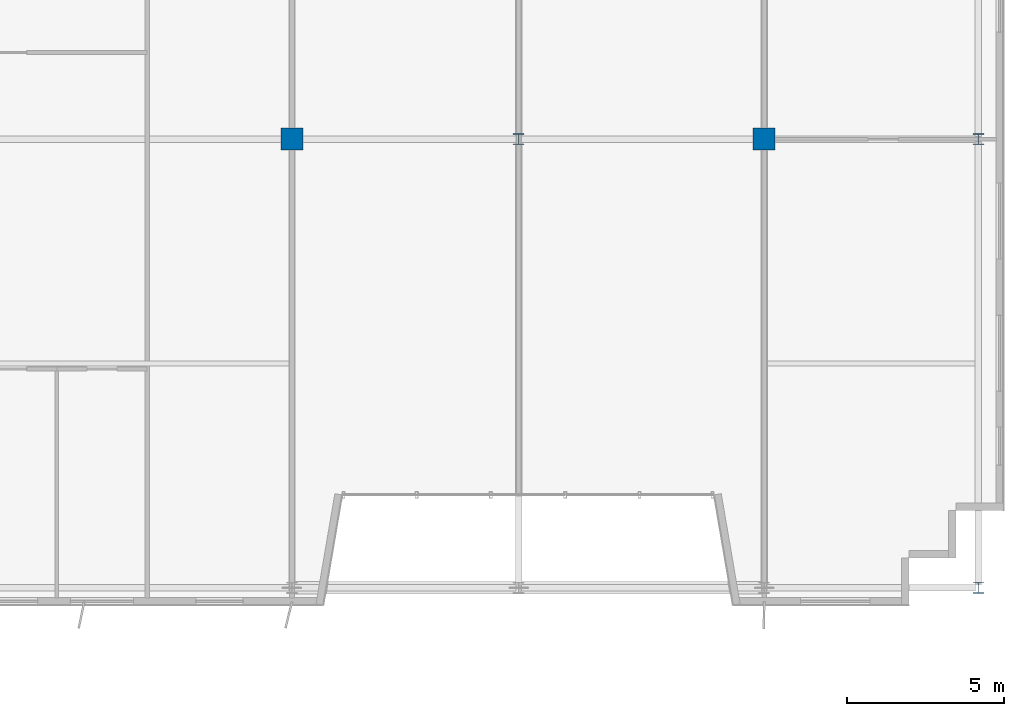
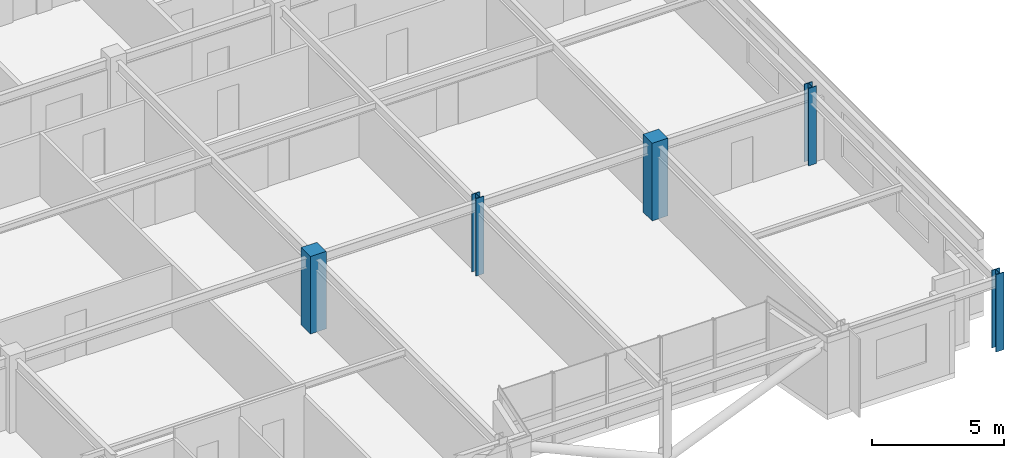
# One storey, part 2 of 27: 5 columns.
"""IFC4 building model written with IfcOpenShell, lengths in metres."""

import ifcopenshell
import ifcopenshell.guid

model = None  # the IFC model being written
_history = None  # IfcOwnerHistory: only IFC2X3 demands one
_inside = {}  # id of a spatial element -> (the spatial element, [elements in it])
_under = {}  # id of a project, library or spatial element -> (it, [spatial elements below it])
_declared = {}  # id of a project -> (the project, [libraries it declares])
_typed = {}  # id of a type object -> (the type object, [elements of that type])
_made_of = {}  # id of a material, layer set ... -> (it, [elements and type objects made of it])


def new_model(schema):
    """Start an empty IFC model of exactly this schema.

    Asked for "IFC4X3", IfcOpenShell would pick the latest addendum, in which some entities
    have other attributes; the version numbers below select the first issue.
    IFC2X3 requires an IfcOwnerHistory on every rooted entity: one is made here for all.
    """
    global model, _history
    if schema == "IFC4X3":
        model = ifcopenshell.file(schema_version=(4, 3, 0, 0))
    else:
        model = ifcopenshell.file(schema=schema)
    _inside.clear()
    _under.clear()
    _declared.clear()
    _typed.clear()
    _made_of.clear()
    _history = None
    if model.schema == "IFC2X3":
        org = make("IfcOrganization", Name="unknown")
        user = make(
            "IfcPersonAndOrganization",
            ThePerson=make("IfcPerson", FamilyName="unknown"),
            TheOrganization=org,
        )
        app = make(
            "IfcApplication",
            ApplicationDeveloper=org,
            Version="unknown",
            ApplicationFullName="unknown",
            ApplicationIdentifier="unknown",
        )
        _history = make(
            "IfcOwnerHistory",
            OwningUser=user,
            OwningApplication=app,
            ChangeAction="ADDED",
            CreationDate=0,
        )
    return model


def make(cls, **values):
    """One entity of the class cls with the attributes given. An attribute that is None is left unset."""
    return model.create_entity(
        cls, **{name: value for name, value in values.items() if value is not None}
    )


def rooted(cls, **values):
    """An entity with a GlobalId (a new one), such as an element, a storey or a relation."""
    return make(cls, GlobalId=ifcopenshell.guid.new(), OwnerHistory=_history, **values)


def si_unit(unit_type, name, prefix=None):
    """IfcSIUnit, for example si_unit("LENGTHUNIT", "METRE", prefix="MILLI")."""
    return make("IfcSIUnit", UnitType=unit_type, Prefix=prefix, Name=name)


def assignment(units):
    """IfcUnitAssignment: the units of a project."""
    return None if units is None else make("IfcUnitAssignment", Units=units)


def point(xyz):
    """IfcCartesianPoint."""
    return None if xyz is None else make("IfcCartesianPoint", Coordinates=xyz)


def direction(xyz):
    """IfcDirection."""
    return None if xyz is None else make("IfcDirection", DirectionRatios=xyz)


def frame(location, z_axis=None, x_axis=None):
    """IfcAxis2Placement3D, a coordinate frame: its origin and axes. An axis left out is left unset."""
    return make(
        "IfcAxis2Placement3D",
        Location=point(location),
        Axis=direction(z_axis),
        RefDirection=direction(x_axis),
    )


def frame_2d(location, x_axis=None):
    """IfcAxis2Placement2D, a coordinate frame in the plane: its origin and x axis."""
    return make(
        "IfcAxis2Placement2D", Location=point(location), RefDirection=direction(x_axis)
    )


def origin():
    """The frame at (0, 0, 0) with its axes left unset."""
    return frame((0.0, 0.0, 0.0))


def origin_2d():
    """The frame at (0, 0) in the plane with its x axis left unset."""
    return frame_2d((0.0, 0.0))


def place(relative_to, where):
    """IfcLocalPlacement: puts the frame where relative to a parent placement (None: the world)."""
    return make(
        "IfcLocalPlacement", PlacementRelTo=relative_to, RelativePlacement=where
    )


def context(
    kind, dimensions, precision=None, world=None, true_north=None, identifier=None
):
    """IfcGeometricRepresentationContext, for example the 3D "Model" context."""
    return make(
        "IfcGeometricRepresentationContext",
        ContextIdentifier=identifier,
        ContextType=kind,
        CoordinateSpaceDimension=dimensions,
        Precision=precision,
        WorldCoordinateSystem=world,
        TrueNorth=true_north,
    )


def subcontext(parent, identifier, kind, view, scale=None):
    """IfcGeometricRepresentationSubContext, for example "Body" below "Model"."""
    return make(
        "IfcGeometricRepresentationSubContext",
        ContextIdentifier=identifier,
        ContextType=kind,
        ParentContext=parent,
        TargetScale=scale,
        TargetView=view,
    )


def project(units=None, contexts=None):
    """IfcProject with its units and contexts."""
    return rooted(
        "IfcProject",
        Name="project",
        RepresentationContexts=contexts,
        UnitsInContext=assignment(units),
    )


def spatial(cls, under=None, at=None, **own):
    """A site, building, storey or space (cls), placed at a placement, below another one or the project."""
    s = rooted(cls, ObjectPlacement=at, **own)
    if under is not None:
        _under.setdefault(under.id(), (under, []))[1].append(s)
    return s


def profile(cls, at=None, kind="AREA", **sizes):
    """A parametric profile (cls). Its sizes go by their IFC names, for example OverallWidth=200.0."""
    return make(cls, ProfileType=kind, Position=at, **sizes)


def rectangle(**sizes):
    """IfcRectangleProfileDef."""
    return profile("IfcRectangleProfileDef", **sizes)


def i_section(**sizes):
    """IfcIShapeProfileDef."""
    return profile("IfcIShapeProfileDef", **sizes)


def extrude(swept, where, along, depth):
    """IfcExtrudedAreaSolid: the profile swept, set in the frame where, extruded along a direction by depth."""
    return make(
        "IfcExtrudedAreaSolid",
        SweptArea=swept,
        Position=where,
        ExtrudedDirection=direction(along),
        Depth=depth,
    )


def shape(context_of_items, identifier, shape_type, items):
    """IfcShapeRepresentation: the items that make up one representation, for example the "Body"."""
    return make(
        "IfcShapeRepresentation",
        ContextOfItems=context_of_items,
        RepresentationIdentifier=identifier,
        RepresentationType=shape_type,
        Items=items,
    )


def source(mapping_origin, context_of_items, identifier, shape_type, items):
    """IfcRepresentationMap: a shape defined once, which mapped items show again and again."""
    return make(
        "IfcRepresentationMap",
        MappingOrigin=mapping_origin,
        MappedRepresentation=shape(context_of_items, identifier, shape_type, items),
    )


def transform(
    local_origin,
    x_axis=None,
    y_axis=None,
    z_axis=None,
    scale=None,
    scale2=None,
    scale3=None,
    uniform=True,
):
    """IfcCartesianTransformationOperator3D, or its non-uniform kind. x_axis, y_axis, z_axis: its Axis1, 2, 3."""
    if uniform:
        return make(
            "IfcCartesianTransformationOperator3D",
            Axis1=direction(x_axis),
            Axis2=direction(y_axis),
            LocalOrigin=point(local_origin),
            Scale=scale,
            Axis3=direction(z_axis),
        )
    return make(
        "IfcCartesianTransformationOperator3DnonUniform",
        Axis1=direction(x_axis),
        Axis2=direction(y_axis),
        LocalOrigin=point(local_origin),
        Scale=scale,
        Axis3=direction(z_axis),
        Scale2=scale2,
        Scale3=scale3,
    )


def mapped(mapping_source, mapping_target):
    """IfcMappedItem: shows the shape of a source again, moved by a transform."""
    return make(
        "IfcMappedItem", MappingSource=mapping_source, MappingTarget=mapping_target
    )


def material(Name=None, Category=None):
    """IfcMaterial."""
    return make("IfcMaterial", Name=Name, Category=Category)


def material_profile(
    of_material, cross_section, Name=None, Category=None, Priority=None
):
    """IfcMaterialProfile: a cross section and its material."""
    return make(
        "IfcMaterialProfile",
        Name=Name,
        Material=of_material,
        Profile=cross_section,
        Priority=Priority,
        Category=Category,
    )


def profile_set(profiles, Name=None, composite=None):
    """IfcMaterialProfileSet."""
    return make(
        "IfcMaterialProfileSet",
        Name=Name,
        MaterialProfiles=profiles,
        CompositeProfile=composite,
    )


def made_of(thing, what):
    """Note that an element or type object is made of a material, layer set ...; save() writes the relation."""
    if what is not None:
        _made_of.setdefault(what.id(), (what, []))[1].append(thing)
    return thing


def type_object(cls, material=None, **own):
    """A type object (cls), such as IfcWallType, which elements share."""
    return made_of(rooted(cls, **own), material)


def element(
    cls,
    number,
    at=None,
    inside=None,
    cuts=None,
    type_object=None,
    material=None,
    context=None,
    identifier="Body",
    shape_type=None,
    held_by="IfcProductDefinitionShape",
    body=None,
    shapes=None,
    **own,
):
    """One element of the class cls, such as IfcWall. Its Tag is "e" and its number.

    at: its placement. inside: the storey or other place that contains it. cuts: it is an
    opening in that element (IfcRelVoidsElement). A single representation is given by context,
    identifier, shape_type and body (its items); several are given by shapes. held_by: the class
    of the entity that holds the representations. save() writes the other relations.
    """
    e = rooted(cls, Tag="e%d" % number, ObjectPlacement=at, **own)
    if body is not None:
        shapes = [shape(context, identifier, shape_type, body)]
    if shapes is not None:
        e.Representation = make(held_by, Representations=shapes)
    if inside is not None:
        _inside.setdefault(inside.id(), (inside, []))[1].append(e)
    if cuts is not None:
        rooted(
            "IfcRelVoidsElement", RelatingBuildingElement=cuts, RelatedOpeningElement=e
        )
    if type_object is not None:
        _typed.setdefault(type_object.id(), (type_object, []))[1].append(e)
    return made_of(e, material)


def aggregate(whole, parts):
    """IfcRelAggregates: a whole, such as a stair, and the parts it consists of."""
    return rooted("IfcRelAggregates", RelatingObject=whole, RelatedObjects=parts)


def save(model, path):
    """Write the relations noted so far, then the file.

    IfcRelAggregates (storeys below a building ...), IfcRelContainedInSpatialStructure (elements
    in a storey), IfcRelDefinesByType, IfcRelAssociatesMaterial and IfcRelDeclares: one each for
    every whole, place, type object, material and project.
    """
    for whole, parts in _under.values():
        aggregate(whole, parts)
    for where, things in _inside.values():
        rooted(
            "IfcRelContainedInSpatialStructure",
            RelatedElements=things,
            RelatingStructure=where,
        )
    for kind, things in _typed.values():
        rooted("IfcRelDefinesByType", RelatedObjects=things, RelatingType=kind)
    for what, things in _made_of.values():
        rooted("IfcRelAssociatesMaterial", RelatedObjects=things, RelatingMaterial=what)
    for by, libraries in _declared.values():
        rooted("IfcRelDeclares", RelatingContext=by, RelatedDefinitions=libraries)
    model.write(path)


model = new_model("IFC4")

# Units and contexts
model_context = context("Model", 3, precision=1e-05, world=origin(), true_north=direction((0.0, 1.0)))
body_context = subcontext(model_context, "Body", "Model", "MODEL_VIEW")
ifc_project = project(units=[si_unit("LENGTHUNIT", "METRE"), si_unit("AREAUNIT", "SQUARE_METRE"), si_unit("VOLUMEUNIT", "CUBIC_METRE"), si_unit("PLANEANGLEUNIT", "RADIAN"), si_unit("MASSUNIT", "GRAM", prefix="KILO")], contexts=[model_context])

# Site, building, storey
site_placement = place(None, origin())
site = spatial("IfcSite", under=ifc_project, at=site_placement, CompositionType="ELEMENT")
building_placement = place(site_placement, origin())
building = spatial("IfcBuilding", under=site, at=building_placement, Name="Trelvane Seafront Commons", CompositionType="ELEMENT")
storey_placement = place(building_placement, frame((0.0, 0.0, 233.699951171875)))
storey = spatial("IfcBuildingStorey", under=building, at=storey_placement, Name="L61", CompositionType="ELEMENT", Elevation=233.699951171875)

# Columns
ifc_material_1 = material(Name="Concrete C50/60", Category="concrete")
ifc_material_profile_1 = material_profile(ifc_material_1, rectangle(XDim=0.699951171875, YDim=0.699951171875, at=origin_2d()), Name="RC-700x700")
ifc_profile_set_1 = profile_set([ifc_material_profile_1], Name="Concrete C50/60")
column_type_1 = type_object("IfcColumnType", Name="STR-COL-RC700", PredefinedType="COLUMN", material=ifc_profile_set_1)
shared_shape_1 = source(origin(), body_context, "Body", "SweptSolid", [
    extrude(rectangle(XDim=0.699951171875, YDim=0.699951171875, at=origin_2d()), origin(), (0.0, 0.0, 1.0), 3.60009765625),
])
for number, where, z_axis, x_axis, name in (
    (1, (43.800048828125, 18.199951171875, 0.0), (0.0, 0.0, 1.0), (1.0, 0.0, 0.0), "L61 Column TC-M43.8"),
    (2, (58.800048828125, 18.199951171875, 0.0), (0.0, 0.0, 1.0), (1.0, 0.0, 0.0), "L61 Column TC-M58.8"),
):
    element("IfcColumn", number, at=place(storey_placement, frame(where, z_axis=z_axis, x_axis=x_axis)), inside=storey, type_object=column_type_1, Name=name, PredefinedType="COLUMN", context=body_context, shape_type="MappedRepresentation", body=[
        mapped(shared_shape_1, transform((0.0, 0.0, 0.0), x_axis=(1.0, 0.0, 0.0), y_axis=(0.0, 1.0, 0.0), z_axis=(0.0, 0.0, 1.0), scale=1.0)),
    ])
ifc_material_2 = material(Name="Steel SM355 (S355)", Category="steel")
ifc_material_profile_2 = material_profile(ifc_material_2, i_section(OverallWidth=0.35009765625, OverallDepth=0.35009765625, WebThickness=0.01806640625, FlangeThickness=0.028076171875, at=origin_2d()), Name="HD-350x350x18x28")
ifc_profile_set_2 = profile_set([ifc_material_profile_2], Name="Steel SM355 (S355)")
column_type_2 = type_object("IfcColumnType", Name="STR-COL-HD350", PredefinedType="COLUMN", material=ifc_profile_set_2)
shared_shape_2 = source(origin(), body_context, "Body", "SweptSolid", [
    extrude(i_section(OverallWidth=0.35009765625, OverallDepth=0.35009765625, WebThickness=0.01806640625, FlangeThickness=0.028076171875, at=origin_2d()), origin(), (0.0, 0.0, 1.0), 3.60009765625),
])
for number, where, z_axis, x_axis, name in (
    (3, (51.0, 18.199951171875, 0.0), (0.0, 0.0, 1.0), (1.0, 0.0, 0.0), "L61 Column TC-M51.0"),
    (4, (65.60009765625, 3.949951171875, 0.0), (0.0, 0.0, 1.0), (1.0, 0.0, 0.0), "L61 Column TC-S65.6"),
    (5, (65.60009765625, 18.199951171875, 0.0), (0.0, 0.0, 1.0), (1.0, 0.0, 0.0), "L61 Column TC-M65.6"),
):
    element("IfcColumn", number, at=place(storey_placement, frame(where, z_axis=z_axis, x_axis=x_axis)), inside=storey, type_object=column_type_2, Name=name, PredefinedType="COLUMN", context=body_context, shape_type="MappedRepresentation", body=[
        mapped(shared_shape_2, transform((0.0, 0.0, 0.0), x_axis=(1.0, 0.0, 0.0), y_axis=(0.0, 1.0, 0.0), z_axis=(0.0, 0.0, 1.0), scale=1.0)),
    ])

save(model, "model.ifc")
